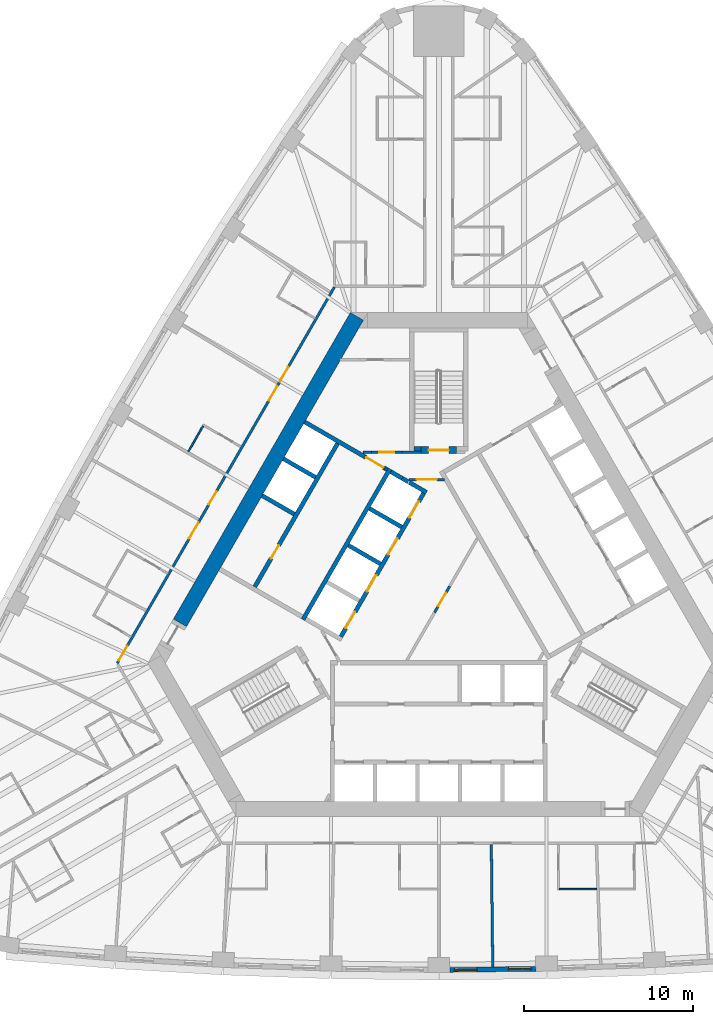
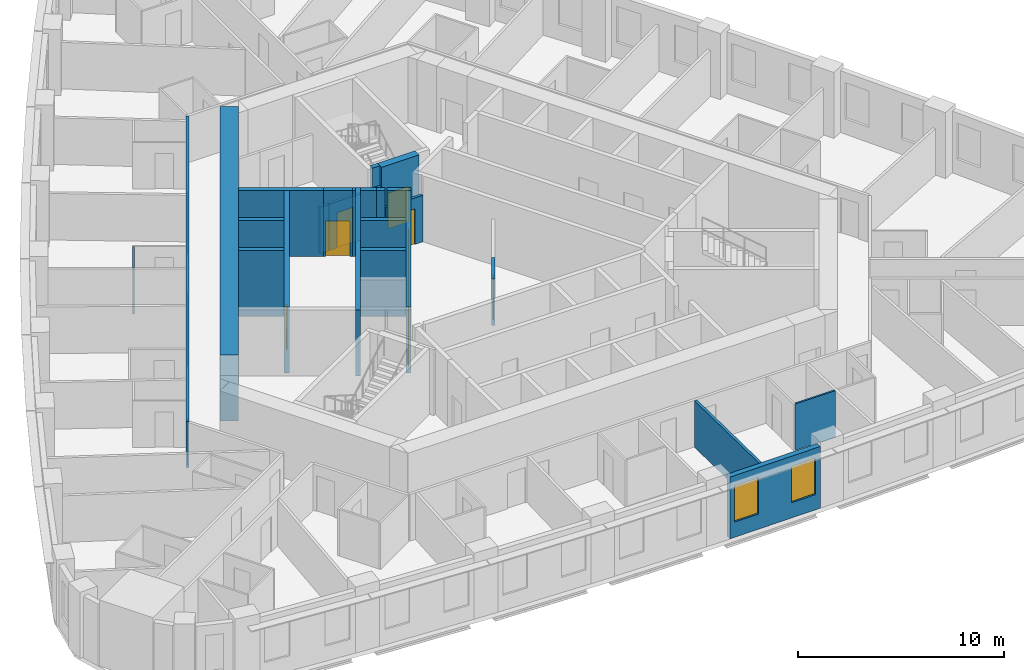
# One storey, part 6 of 13: 26 walls, 15 doors, 2 windows, 17 openings.
"""IFC4 building model written with IfcOpenShell, lengths in metres."""

from ifc_helpers import new_model, si_unit, direction, frame, frame_2d, origin, place, context, subcontext, project, spatial, polyline, rectangle, outline, extrude, material, layer, layer_set, type_object, element, fill, save


model = new_model("IFC4")

# Units and contexts
model_context = context("Model", 3, precision=1e-05, world=origin(), true_north=direction((0.0, 1.0)))
body_context = subcontext(model_context, "Body", "Model", "MODEL_VIEW")
ifc_project = project(units=[si_unit("LENGTHUNIT", "METRE"), si_unit("AREAUNIT", "SQUARE_METRE"), si_unit("VOLUMEUNIT", "CUBIC_METRE"), si_unit("PLANEANGLEUNIT", "RADIAN"), si_unit("MASSUNIT", "GRAM", prefix="KILO")], contexts=[model_context])

# Site, building, storey
site_placement = place(None, origin())
site = spatial("IfcSite", under=ifc_project, at=site_placement, CompositionType="ELEMENT")
building_placement = place(site_placement, origin())
building = spatial("IfcBuilding", under=site, at=building_placement, Name="Mestral Congress Tower", CompositionType="ELEMENT")
storey_placement = place(building_placement, frame((0.0, 0.0, 87.60009765625)))
storey = spatial("IfcBuildingStorey", under=building, at=storey_placement, Name="L20", CompositionType="ELEMENT", Elevation=87.60009765625)

# Walls
ifc_material_1 = material(Name="Fire-rated board partition")
ifc_layer_1 = layer(ifc_material_1, 0.14990234375)
ifc_layer_set_1 = layer_set([ifc_layer_1], Name="Fire-rated board partition")
wall_type_1 = type_object("IfcWallType", Name="Core partition 150", PredefinedType="PARTITIONING", material=ifc_layer_set_1)
wall_1_placement = place(storey_placement, frame((-3.99658203125, 8.625244140625, 0.0), z_axis=(0.0, 0.0, 1.0), x_axis=(-1.0, 0.0, 0.0)))
element("IfcWall", 1, at=wall_1_placement, inside=storey, type_object=wall_type_1, Name="L20 core wall", PredefinedType="PARTITIONING", context=body_context, shape_type="SweptSolid", body=[
    extrude(rectangle(XDim=0.502197265625, YDim=0.14990234375, at=frame_2d((0.2509765625, 0.0))), origin(), (0.0, 0.0, 1.0), 2.75),
])
wall_2_placement = place(storey_placement, frame((-2.1962890625, 8.62548828125, 0.0), z_axis=(0.0, 0.0, 1.0), x_axis=(1.0, 0.0, 0.0)))
element("IfcWall", 2, at=wall_2_placement, inside=storey, type_object=wall_type_1, Name="L20 core wall", PredefinedType="PARTITIONING", context=body_context, shape_type="SweptSolid", body=[
    extrude(rectangle(XDim=1.146240234375, YDim=0.14990234375, at=frame_2d((0.5732421875, 0.0))), origin(), (0.0, 0.0, 1.0), 2.75),
])

# Wall, opening, door
wall_3_placement = place(storey_placement, frame((-2.1962890625, 8.625, 0.0), z_axis=(0.0, 0.0, 1.0), x_axis=(-1.0, 0.0, 0.0)))
wall_3 = element("IfcWall", 3, at=wall_3_placement, inside=storey, type_object=wall_type_1, Name="L20 door wall", PredefinedType="PARTITIONING", context=body_context, shape_type="SweptSolid", body=[
    extrude(rectangle(XDim=1.800048828125, YDim=0.14990234375, at=frame_2d((0.89990234375, 0.0))), origin(), (0.0, 0.0, 1.0), 2.75),
])
opening_1_placement = place(wall_3_placement, frame((0.449951171875, 0.0, 0.0)))
opening_1 = element("IfcOpeningElement", 4, at=opening_1_placement, cuts=wall_3, Name="Opening TD2", PredefinedType="OPENING", context=body_context, shape_type="SweptSolid", body=[
    extrude(rectangle(XDim=0.89990234375, YDim=2.10009765625, at=frame_2d((0.449951171875, 1.050048828125))), frame((0.0, 0.0849609375, 0.0), z_axis=(0.0, -1.0, 0.0), x_axis=(1.0, 0.0, 0.0)), (0.0, 0.0, 1.0), 0.169921875),
])
ifc_material_2 = material(Name="Fire-rated steel door set", Category="steel")
door_type_1 = type_object("IfcDoorType", Name="Core door SR 900x2100", OperationType="SINGLE_SWING_LEFT", PredefinedType="DOOR", material=ifc_material_2)
door_1_placement = place(opening_1_placement, origin())
door_1 = element("IfcDoor", 5, at=door_1_placement, inside=storey, type_object=door_type_1, Name="Door TD2", OperationType="SINGLE_SWING_LEFT", OverallHeight=2.10009765625, OverallWidth=0.89990234375, PredefinedType="DOOR", context=body_context, shape_type="SweptSolid", body=[
    extrude(rectangle(XDim=0.89990234375, YDim=2.10009765625, at=frame_2d((0.449951171875, 1.050048828125))), frame((0.0, 0.02490234375, 0.0), z_axis=(0.0, -1.0, 0.0), x_axis=(1.0, 0.0, 0.0)), (0.0, 0.0, 1.0), 0.050048828125),
])
fill(opening_1, door_1)

wall_4_placement = place(storey_placement, frame((-1.765380859375, 7.0, 0.0), z_axis=(0.0, 0.0, 1.0), x_axis=(1.0, 0.0, 0.0)))
wall_4 = element("IfcWall", 6, at=wall_4_placement, inside=storey, type_object=wall_type_1, Name="L20 door wall", PredefinedType="PARTITIONING", context=body_context, shape_type="SweptSolid", body=[
    extrude(rectangle(XDim=2.10009765625, YDim=0.14990234375, at=frame_2d((1.050048828125, 0.0))), origin(), (0.0, 0.0, 1.0), 2.75),
])
opening_2_placement = place(wall_4_placement, frame((0.449951171875, 0.0, 0.0)))
opening_2 = element("IfcOpeningElement", 7, at=opening_2_placement, cuts=wall_4, Name="Opening CD2-FF", PredefinedType="OPENING", context=body_context, shape_type="SweptSolid", body=[
    extrude(rectangle(XDim=1.199951171875, YDim=2.10009765625, at=frame_2d((0.60009765625, 1.050048828125))), frame((0.0, 0.0849609375, 0.0), z_axis=(0.0, -1.0, 0.0), x_axis=(1.0, 0.0, 0.0)), (0.0, 0.0, 1.0), 0.169921875),
])
door_type_2 = type_object("IfcDoorType", Name="Core door CD 1200x2100", OperationType="SINGLE_SWING_LEFT", PredefinedType="DOOR", material=ifc_material_2)
door_2_placement = place(opening_2_placement, origin())
door_2 = element("IfcDoor", 8, at=door_2_placement, inside=storey, type_object=door_type_2, Name="Door CD2-FF", OperationType="SINGLE_SWING_LEFT", OverallHeight=2.10009765625, OverallWidth=1.199951171875, PredefinedType="DOOR", context=body_context, shape_type="SweptSolid", body=[
    extrude(rectangle(XDim=1.199951171875, YDim=2.10009765625, at=frame_2d((0.60009765625, 1.050048828125))), frame((0.0, 0.02490234375, 0.0), z_axis=(0.0, -1.0, 0.0), x_axis=(1.0, 0.0, 0.0)), (0.0, 0.0, 1.0), 0.050048828125),
])
fill(opening_2, door_2)

wall_5_placement = place(storey_placement, frame((-0.255126953125, -0.891845703125, 0.0), z_axis=(0.0, 0.0, 1.0), x_axis=(0.500062916607, 0.865989075817, 0.0)))
wall_5 = element("IfcWall", 9, at=wall_5_placement, inside=storey, type_object=wall_type_1, Name="L20 door wall", PredefinedType="PARTITIONING", context=body_context, shape_type="SweptSolid", body=[
    extrude(rectangle(XDim=1.800048828125, YDim=0.14990234375, at=frame_2d((0.89990234375, 0.0))), origin(), (0.0, 0.0, 1.0), 2.75),
])
opening_3_placement = place(wall_5_placement, frame((0.449951171875, 0.0, 0.0)))
opening_3 = element("IfcOpeningElement", 10, at=opening_3_placement, cuts=wall_5, Name="Opening SD-HUB0", PredefinedType="OPENING", context=body_context, shape_type="SweptSolid", body=[
    extrude(rectangle(XDim=0.89990234375, YDim=2.10009765625, at=frame_2d((0.449951171875, 1.050048828125))), frame((0.0, 0.0849609375, 0.0), z_axis=(0.0, -1.0, 0.0), x_axis=(1.0, 0.0, 0.0)), (0.0, 0.0, 1.0), 0.169921875),
])
door_3_placement = place(opening_3_placement, origin())
door_3 = element("IfcDoor", 11, at=door_3_placement, inside=storey, type_object=door_type_1, Name="Door SD-HUB0", OperationType="SINGLE_SWING_LEFT", OverallHeight=2.10009765625, OverallWidth=0.89990234375, PredefinedType="DOOR", context=body_context, shape_type="SweptSolid", body=[
    extrude(rectangle(XDim=0.89990234375, YDim=2.10009765625, at=frame_2d((0.449951171875, 1.050048828125))), frame((0.0, 0.02490234375, 0.0), z_axis=(0.0, -1.0, 0.0), x_axis=(1.0, 0.0, 0.0)), (0.0, 0.0, 1.0), 0.050048828125),
])
fill(opening_3, door_3)

# Wall
ifc_material_3 = material(Name="Concrete C60/75", Category="concrete")
ifc_layer_2 = layer(ifc_material_3, 0.89990234375)
ifc_layer_set_2 = layer_set([ifc_layer_2], Name="Concrete C60/75")
wall_type_2 = type_object("IfcWallType", Name="Core wall RC 900", PredefinedType="SOLIDWALL", material=ifc_layer_set_2)
wall_6_placement = place(storey_placement, frame((-15.359619140625, -1.50341796875, 0.0), z_axis=(0.0, 0.0, 1.0), x_axis=(0.50000389221, 0.866023156604, 0.0)))
element("IfcWall", 12, at=wall_6_placement, inside=storey, type_object=wall_type_2, Name="L20 core wall", PredefinedType="SOLIDWALL", context=body_context, shape_type="SweptSolid", body=[
    extrude(rectangle(XDim=21.000244140625, YDim=0.89990234375, at=frame_2d((10.5, 0.0))), origin(), (0.0, 0.0, 1.0), 3.89990234375),
])

# Wall, openings, windows
ifc_material_4 = material(Name="Precast concrete C40/50 with limestone facing", Category="masonry")
ifc_layer_3 = layer(ifc_material_4, 0.2900390625)
ifc_layer_set_3 = layer_set([ifc_layer_3], Name="Precast concrete C40/50 with limestone facing")
wall_type_3 = type_object("IfcWallType", Name="Facade stone wall 290", PredefinedType="SOLIDWALL", material=ifc_layer_set_3)
wall_7_placement = place(storey_placement, frame((0.6533203125, -22.091064453125, 0.0), z_axis=(0.0, 0.0, 1.0), x_axis=(0.999931786565, 0.011679992145, 0.0)))
wall_7 = element("IfcWall", 13, at=wall_7_placement, inside=storey, type_object=wall_type_3, Name="Facade wall F0-04", PredefinedType="SOLIDWALL", context=body_context, shape_type="SweptSolid", body=[
    extrude(rectangle(XDim=5.10009765625, YDim=0.2900390625, at=frame_2d((2.550048828125, 0.0))), origin(), (0.0, 0.0, 1.0), 3.64990234375),
])
opening_4_placement = place(wall_7_placement, frame((0.272705078125, 0.0, 0.89990234375)))
opening_4 = element("IfcOpeningElement", 14, at=opening_4_placement, cuts=wall_7, Name="Opening W2", PredefinedType="OPENING", context=body_context, shape_type="SweptSolid", body=[
    extrude(rectangle(XDim=1.35009765625, YDim=2.14990234375, at=frame_2d((0.675048828125, 1.074951171875))), frame((0.0, 0.155029296875, 0.0), z_axis=(0.0, -1.0, 0.0), x_axis=(1.0, 0.0, 0.0)), (0.0, 0.0, 1.0), 0.31005859375),
])
opening_5_placement = place(wall_7_placement, frame((3.477783203125, 0.0, 0.89990234375)))
opening_5 = element("IfcOpeningElement", 15, at=opening_5_placement, cuts=wall_7, Name="Opening W2", PredefinedType="OPENING", context=body_context, shape_type="SweptSolid", body=[
    extrude(rectangle(XDim=1.35009765625, YDim=2.14990234375, at=frame_2d((0.675048828125, 1.074951171875))), frame((0.0, 0.155029296875, 0.0), z_axis=(0.0, -1.0, 0.0), x_axis=(1.0, 0.0, 0.0)), (0.0, 0.0, 1.0), 0.31005859375),
])
ifc_material_5 = material(Name="Clear low-emissivity double glazing", Category="glass")
window_type = type_object("IfcWindowType", Name="Facade punched window 1350 x 2150 sill 900", PartitioningType="DOUBLE_PANEL_VERTICAL", PredefinedType="WINDOW", material=ifc_material_5)
window_1_placement = place(opening_4_placement, origin())
window_1 = element("IfcWindow", 16, at=window_1_placement, inside=storey, type_object=window_type, Name="Window F0-04a", OverallHeight=2.14990234375, OverallWidth=1.35009765625, PartitioningType="DOUBLE_PANEL_VERTICAL", PredefinedType="WINDOW", context=body_context, shape_type="SweptSolid", body=[
    extrude(rectangle(XDim=1.35009765625, YDim=2.14990234375, at=frame_2d((0.675048828125, 1.074951171875))), frame((0.0, 0.01513671875, 0.0), z_axis=(0.0, -1.0, 0.0), x_axis=(1.0, 0.0, 0.0)), (0.0, 0.0, 1.0), 0.06005859375),
])
fill(opening_4, window_1)
window_2_placement = place(opening_5_placement, origin())
window_2 = element("IfcWindow", 17, at=window_2_placement, inside=storey, type_object=window_type, Name="Window F0-04b", OverallHeight=2.14990234375, OverallWidth=1.35009765625, PartitioningType="DOUBLE_PANEL_VERTICAL", PredefinedType="WINDOW", context=body_context, shape_type="SweptSolid", body=[
    extrude(rectangle(XDim=1.35009765625, YDim=2.14990234375, at=frame_2d((0.675048828125, 1.074951171875))), frame((0.0, 0.01513671875, 0.0), z_axis=(0.0, -1.0, 0.0), x_axis=(1.0, 0.0, 0.0)), (0.0, 0.0, 1.0), 0.06005859375),
])
fill(opening_5, window_2)

# Walls
ifc_material_6 = material(Name="Gypsum board partition on metal studs with mineral wool", Category="composite")
ifc_layer_4 = layer(ifc_material_6, 0.10009765625)
ifc_layer_set_4 = layer_set([ifc_layer_4], Name="Gypsum board partition on metal studs with mineral wool")
wall_type_4 = type_object("IfcWallType", Name="Hotel partition wall 100", PredefinedType="PARTITIONING", material=ifc_layer_set_4)
wall_8_placement = place(storey_placement, frame((7.150390625, -17.300048828125, 0.0), z_axis=(0.0, 0.0, 1.0), x_axis=(1.0, 0.0, 0.0)))
element("IfcWall", 18, at=wall_8_placement, inside=storey, type_object=wall_type_4, Name="L20-h-pod06b", PredefinedType="PARTITIONING", context=body_context, shape_type="SweptSolid", body=[
    extrude(rectangle(XDim=2.219970703125, YDim=0.10009765625, at=frame_2d((1.10986328125, 0.0))), origin(), (0.0, 0.0, 1.0), 2.75),
])
wall_9_placement = place(storey_placement, frame((-13.982666015625, 10.18115234375, 0.0), z_axis=(0.0, 0.0, 1.0), x_axis=(-0.499980071345, -0.866036909293, 0.0)))
element("IfcWall", 19, at=wall_9_placement, inside=storey, type_object=wall_type_4, Name="L20-h-pod22b", PredefinedType="PARTITIONING", context=body_context, shape_type="SweptSolid", body=[
    extrude(rectangle(XDim=1.75, YDim=0.10009765625, at=frame_2d((0.875, 0.0))), origin(), (0.0, 0.0, 1.0), 2.75),
])

# Wall, openings, doors
ifc_layer_5 = layer(ifc_material_6, 0.14990234375)
ifc_layer_set_5 = layer_set([ifc_layer_5], Name="Gypsum board partition on metal studs with mineral wool")
wall_type_5 = type_object("IfcWallType", Name="Hotel partition wall 150", PredefinedType="PARTITIONING", material=ifc_layer_set_5)
wall_10_placement = place(storey_placement, frame((-19.081298828125, -3.89990234375, 0.0), z_axis=(0.0, 0.0, 1.0), x_axis=(0.499998313975, 0.866026377209, 0.0)))
wall_10 = element("IfcWall", 20, at=wall_10_placement, inside=storey, type_object=wall_type_5, Name="L20-h-cw08", PredefinedType="PARTITIONING", context=body_context, shape_type="SweptSolid", body=[
    extrude(rectangle(XDim=25.76611328125, YDim=0.14990234375, at=frame_2d((12.883056640625, 0.0))), origin(), (0.0, 0.0, 1.0), 2.75),
])
opening_6_placement = place(wall_10_placement, frame((19.30615234375, 0.0, 0.0)))
opening_6 = element("IfcOpeningElement", 21, at=opening_6_placement, cuts=wall_10, Name="Opening H06-039", PredefinedType="OPENING", context=body_context, shape_type="SweptSolid", body=[
    extrude(rectangle(XDim=1.0, YDim=2.10009765625, at=frame_2d((0.5, 1.050048828125))), frame((0.0, 0.0849609375, 0.0), z_axis=(0.0, -1.0, 0.0), x_axis=(1.0, 0.0, 0.0)), (0.0, 0.0, 1.0), 0.169921875),
])
opening_7_placement = place(wall_10_placement, frame((17.99951171875, 0.0, 0.0)))
opening_7 = element("IfcOpeningElement", 22, at=opening_7_placement, cuts=wall_10, Name="Opening H06-041", PredefinedType="OPENING", context=body_context, shape_type="SweptSolid", body=[
    extrude(rectangle(XDim=1.0, YDim=2.10009765625, at=frame_2d((0.5, 1.050048828125))), frame((0.0, 0.0849609375, 0.0), z_axis=(0.0, -1.0, 0.0), x_axis=(1.0, 0.0, 0.0)), (0.0, 0.0, 1.0), 0.169921875),
])
opening_8_placement = place(wall_10_placement, frame((10.874267578125, 0.0, 0.0)))
opening_8 = element("IfcOpeningElement", 23, at=opening_8_placement, cuts=wall_10, Name="Opening H06-043", PredefinedType="OPENING", context=body_context, shape_type="SweptSolid", body=[
    extrude(rectangle(XDim=0.89990234375, YDim=2.10009765625, at=frame_2d((0.449951171875, 1.050048828125))), frame((0.0, 0.0849609375, 0.0), z_axis=(0.0, -1.0, 0.0), x_axis=(1.0, 0.0, 0.0)), (0.0, 0.0, 1.0), 0.169921875),
])
opening_9_placement = place(wall_10_placement, frame((8.547607421875, 0.0, 0.0)))
opening_9 = element("IfcOpeningElement", 24, at=opening_9_placement, cuts=wall_10, Name="Opening H06-044", PredefinedType="OPENING", context=body_context, shape_type="SweptSolid", body=[
    extrude(rectangle(XDim=1.10009765625, YDim=2.10009765625, at=frame_2d((0.550048828125, 1.050048828125))), frame((0.0, 0.0849609375, 0.0), z_axis=(0.0, -1.0, 0.0), x_axis=(1.0, 0.0, 0.0)), (0.0, 0.0, 1.0), 0.169921875),
])
opening_10_placement = place(wall_10_placement, frame((0.179931640625, 0.0, 0.0)))
opening_10 = element("IfcOpeningElement", 25, at=opening_10_placement, cuts=wall_10, Name="Opening H06-046", PredefinedType="OPENING", context=body_context, shape_type="SweptSolid", body=[
    extrude(rectangle(XDim=1.0, YDim=2.10009765625, at=frame_2d((0.5, 1.050048828125))), frame((0.0, 0.0849609375, 0.0), z_axis=(0.0, -1.0, 0.0), x_axis=(1.0, 0.0, 0.0)), (0.0, 0.0, 1.0), 0.169921875),
])
ifc_material_7 = material(Name="Timber veneer door leaf in metal frame", Category="wood")
door_type_3 = type_object("IfcDoorType", Name="Accessible room entrance door 1100", OperationType="SINGLE_SWING_LEFT", PredefinedType="DOOR", material=ifc_material_7)
door_4_placement = place(opening_9_placement, origin())
door_4 = element("IfcDoor", 26, at=door_4_placement, inside=storey, type_object=door_type_3, Name="L20-h-d044", OperationType="SINGLE_SWING_RIGHT", OverallHeight=2.10009765625, OverallWidth=1.10009765625, PredefinedType="DOOR", context=body_context, shape_type="SweptSolid", body=[
    extrude(rectangle(XDim=1.10009765625, YDim=2.10009765625, at=frame_2d((0.550048828125, 1.050048828125))), frame((0.0, 0.02490234375, 0.0), z_axis=(0.0, -1.0, 0.0), x_axis=(1.0, 0.0, 0.0)), (0.0, 0.0, 1.0), 0.050048828125),
])
fill(opening_9, door_4)
door_type_4 = type_object("IfcDoorType", Name="Guest room entrance door 1000", OperationType="SINGLE_SWING_LEFT", PredefinedType="DOOR", material=ifc_material_7)
door_5_placement = place(opening_6_placement, origin())
door_5 = element("IfcDoor", 27, at=door_5_placement, inside=storey, type_object=door_type_4, Name="L20-h-d039", OperationType="SINGLE_SWING_LEFT", OverallHeight=2.10009765625, OverallWidth=1.0, PredefinedType="DOOR", context=body_context, shape_type="SweptSolid", body=[
    extrude(rectangle(XDim=1.0, YDim=2.10009765625, at=frame_2d((0.5, 1.050048828125))), frame((0.0, 0.02490234375, 0.0), z_axis=(0.0, -1.0, 0.0), x_axis=(1.0, 0.0, 0.0)), (0.0, 0.0, 1.0), 0.050048828125),
])
fill(opening_6, door_5)
door_6_placement = place(opening_7_placement, origin())
door_6 = element("IfcDoor", 28, at=door_6_placement, inside=storey, type_object=door_type_4, Name="L20-h-d041", OperationType="SINGLE_SWING_RIGHT", OverallHeight=2.10009765625, OverallWidth=1.0, PredefinedType="DOOR", context=body_context, shape_type="SweptSolid", body=[
    extrude(rectangle(XDim=1.0, YDim=2.10009765625, at=frame_2d((0.5, 1.050048828125))), frame((0.0, 0.02490234375, 0.0), z_axis=(0.0, -1.0, 0.0), x_axis=(1.0, 0.0, 0.0)), (0.0, 0.0, 1.0), 0.050048828125),
])
fill(opening_7, door_6)
door_7_placement = place(opening_10_placement, origin())
door_7 = element("IfcDoor", 29, at=door_7_placement, inside=storey, type_object=door_type_4, Name="L20-h-d046", OperationType="SINGLE_SWING_LEFT", OverallHeight=2.10009765625, OverallWidth=1.0, PredefinedType="DOOR", context=body_context, shape_type="SweptSolid", body=[
    extrude(rectangle(XDim=1.0, YDim=2.10009765625, at=frame_2d((0.5, 1.050048828125))), frame((0.0, 0.02490234375, 0.0), z_axis=(0.0, -1.0, 0.0), x_axis=(1.0, 0.0, 0.0)), (0.0, 0.0, 1.0), 0.050048828125),
])
fill(opening_10, door_7)
door_type_5 = type_object("IfcDoorType", Name="Service room door 900", OperationType="SINGLE_SWING_LEFT", PredefinedType="DOOR", material=ifc_material_7)
door_8_placement = place(opening_8_placement, origin())
door_8 = element("IfcDoor", 30, at=door_8_placement, inside=storey, type_object=door_type_5, Name="L20-h-d043", OperationType="SINGLE_SWING_LEFT", OverallHeight=2.10009765625, OverallWidth=0.89990234375, PredefinedType="DOOR", context=body_context, shape_type="SweptSolid", body=[
    extrude(rectangle(XDim=0.89990234375, YDim=2.10009765625, at=frame_2d((0.449951171875, 1.050048828125))), frame((0.0, 0.02490234375, 0.0), z_axis=(0.0, -1.0, 0.0), x_axis=(1.0, 0.0, 0.0)), (0.0, 0.0, 1.0), 0.050048828125),
])
fill(opening_8, door_8)

# Walls
wall_11_placement = place(storey_placement, frame((3.20166015625, -21.916259765625, 0.0), z_axis=(0.0, 0.0, 1.0), x_axis=(-0.011707696285, 0.999931462575, 0.0)))
element("IfcWall", 31, at=wall_11_placement, inside=storey, type_object=wall_type_5, Name="L20-h-pw18", PredefinedType="PARTITIONING", context=body_context, shape_type="SweptSolid", body=[
    extrude(rectangle(XDim=7.2568359375, YDim=0.14990234375, at=frame_2d((3.62841796875, 0.0))), origin(), (0.0, 0.0, 1.0), 2.75),
])
ifc_layer_6 = layer(ifc_material_3, 0.25)
ifc_layer_set_6 = layer_set([ifc_layer_6], Name="Concrete C60/75")
wall_type_6 = type_object("IfcWallType", Name="Shaft wall RC 250", PredefinedType="SOLIDWALL", material=ifc_layer_set_6)
wall_12_placement = place(storey_placement, frame((-8.06005859375, -1.310546875, 0.0), z_axis=(0.0, 0.0, 1.0), x_axis=(0.50000273126, 0.866023826885, 0.0)))
element("IfcWall", 32, at=wall_12_placement, inside=storey, type_object=wall_type_6, Name="L20 core wall", PredefinedType="SOLIDWALL", context=body_context, shape_type="SweptSolid", body=[
    extrude(rectangle(XDim=10.330078125, YDim=0.25, at=frame_2d((5.1650390625, 0.0))), origin(), (0.0, 0.0, 1.0), 3.89990234375),
])
wall_13_placement = place(storey_placement, frame((-1.818603515625, 6.869873046875, 0.0), z_axis=(0.0, 0.0, 1.0), x_axis=(-0.866294599386, 0.499533449405, 0.0)))
element("IfcWall", 33, at=wall_13_placement, inside=storey, type_object=wall_type_6, Name="L20 core wall", PredefinedType="SOLIDWALL", context=body_context, shape_type="SweptSolid", body=[
    extrude(rectangle(XDim=0.41015625, YDim=0.25, at=frame_2d((0.205078125, 0.0))), origin(), (0.0, 0.0, 1.0), 3.89990234375),
])
wall_14_placement = place(storey_placement, frame((-2.849365234375, 7.46484375, 0.0), z_axis=(0.0, 0.0, 1.0), x_axis=(0.865955664968, -0.500120771724, 0.0)))
element("IfcWall", 34, at=wall_14_placement, inside=storey, type_object=wall_type_6, Name="L20 core wall", PredefinedType="SOLIDWALL", context=body_context, shape_type="SweptSolid", body=[
    extrude(rectangle(XDim=0.778076171875, YDim=0.25, at=frame_2d((0.38916015625, 0.0))), origin(), (0.0, 0.0, 1.0), 3.89990234375),
])
wall_15_placement = place(storey_placement, frame((-0.7275390625, 6.23974609375, 0.0), z_axis=(0.0, 0.0, 1.0), x_axis=(-0.866002680491, 0.500039355833, 0.0)))
element("IfcWall", 35, at=wall_15_placement, inside=storey, type_object=wall_type_6, Name="L20 core wall", PredefinedType="SOLIDWALL", context=body_context, shape_type="SweptSolid", body=[
    extrude(rectangle(XDim=1.17822265625, YDim=0.25, at=frame_2d((0.589111328125, 0.0))), origin(), (0.0, 0.0, 1.0), 3.89990234375),
])
for number, where, z_axis, x_axis, name in (
    (36, (-2.2041015625, 4.182373046875, 0.0), (0.0, 0.0, 1.0), (-0.866008176907, 0.50002983664, 0.0), "L20 core wall"),
    (37, (-5.369384765625, 3.10009765625, 0.0), (0.0, 0.0, 1.0), (0.866008176907, -0.50002983664, 0.0), "L20 core wall"),
):
    element("IfcWall", number, at=place(storey_placement, frame(where, z_axis=z_axis, x_axis=x_axis)), inside=storey, type_object=wall_type_6, Name=name, PredefinedType="SOLIDWALL", context=body_context, shape_type="SweptSolid", body=[
        extrude(rectangle(XDim=2.199951171875, YDim=0.25, at=frame_2d((1.10009765625, 0.0))), origin(), (0.0, 0.0, 1.0), 3.89990234375),
    ])
wall_16_placement = place(storey_placement, origin())
element("IfcWall", 38, at=wall_16_placement, inside=storey, type_object=wall_type_6, Name="L20 core wall", PredefinedType="SOLIDWALL", context=body_context, shape_type="SweptSolid", body=[
    extrude(outline(polyline([(-3.12841796875, 7.4814453125), (-3.2587890625, 7.556640625), (-3.1337890625, 7.773193359375), (-3.00341796875, 7.697998046875), (-3.12841796875, 7.4814453125)])), origin(), (0.0, 0.0, 1.0), 3.89990234375),
])
for number, where, z_axis, x_axis, name in (
    (39, (-8.57373046875, 4.949951171875, 0.0), (0.0, 0.0, 1.0), (-0.866008176907, 0.50002983664, 0.0), "L20 core wall"),
    (40, (-7.313720703125, 7.13232421875, 0.0), (0.0, 0.0, 1.0), (-0.866008176907, 0.50002983664, 0.0), "L20 core wall"),
):
    element("IfcWall", number, at=place(storey_placement, frame(where, z_axis=z_axis, x_axis=x_axis)), inside=storey, type_object=wall_type_6, Name=name, PredefinedType="SOLIDWALL", context=body_context, shape_type="SweptSolid", body=[
        extrude(rectangle(XDim=2.199951171875, YDim=0.25, at=frame_2d((1.10009765625, 0.0))), origin(), (0.0, 0.0, 1.0), 3.89990234375),
    ])
wall_17_placement = place(storey_placement, frame((-7.958984375, 10.414794921875, 0.0), z_axis=(0.0, 0.0, 1.0), x_axis=(0.866020958405, -0.500007699544, 0.0)))
element("IfcWall", 41, at=wall_17_placement, inside=storey, type_object=wall_type_6, Name="L20 core wall", PredefinedType="SOLIDWALL", context=body_context, shape_type="SweptSolid", body=[
    extrude(rectangle(XDim=4.099609375, YDim=0.25, at=frame_2d((2.0498046875, 0.0))), origin(), (0.0, 0.0, 1.0), 3.89990234375),
])

# Wall, opening, door
wall_18_placement = place(storey_placement, frame((-6.0078125, 9.14404296875, 0.0), z_axis=(0.0, 0.0, 1.0), x_axis=(-0.500006956611, -0.866021387346, 0.0)))
wall_18 = element("IfcWall", 42, at=wall_18_placement, inside=storey, type_object=wall_type_6, Name="L20 door wall", PredefinedType="SOLIDWALL", context=body_context, shape_type="SweptSolid", body=[
    extrude(rectangle(XDim=9.829833984375, YDim=0.25, at=frame_2d((4.9150390625, 0.0))), origin(), (0.0, 0.0, 1.0), 3.89990234375),
])
opening_11_placement = place(wall_18_placement, frame((6.985107421875, 0.0, 0.0)))
opening_11 = element("IfcOpeningElement", 43, at=opening_11_placement, cuts=wall_18, Name="Opening SR-NWA2", PredefinedType="OPENING", context=body_context, shape_type="SweptSolid", body=[
    extrude(rectangle(XDim=0.89990234375, YDim=2.10009765625, at=frame_2d((0.449951171875, 1.050048828125))), frame((0.0, 0.135009765625, 0.0), z_axis=(0.0, -1.0, 0.0), x_axis=(1.0, 0.0, 0.0)), (0.0, 0.0, 1.0), 0.27001953125),
])
door_9_placement = place(opening_11_placement, origin())
door_9 = element("IfcDoor", 44, at=door_9_placement, inside=storey, type_object=door_type_1, Name="Door SR-NWA2", OperationType="SINGLE_SWING_LEFT", OverallHeight=2.10009765625, OverallWidth=0.89990234375, PredefinedType="DOOR", context=body_context, shape_type="SweptSolid", body=[
    extrude(rectangle(XDim=0.89990234375, YDim=2.10009765625, at=frame_2d((0.449951171875, 1.050048828125))), frame((0.0, 0.02490234375, 0.0), z_axis=(0.0, -1.0, 0.0), x_axis=(1.0, 0.0, 0.0)), (0.0, 0.0, 1.0), 0.050048828125),
])
fill(opening_11, door_9)

# Wall, openings, doors
wall_19_placement = place(storey_placement, frame((-0.898193359375, 6.194091796875, 0.0), z_axis=(0.0, 0.0, 1.0), x_axis=(-0.499996202215, -0.866027596426, 0.0)))
wall_19 = element("IfcWall", 45, at=wall_19_placement, inside=storey, type_object=wall_type_6, Name="L20 door wall", PredefinedType="SOLIDWALL", context=body_context, shape_type="SweptSolid", body=[
    extrude(rectangle(XDim=9.830078125, YDim=0.25, at=frame_2d((4.9150390625, 0.0))), origin(), (0.0, 0.0, 1.0), 3.89990234375),
])
opening_12_placement = place(wall_19_placement, frame((0.5849609375, 0.0, 0.0)))
opening_12 = element("IfcOpeningElement", 46, at=opening_12_placement, cuts=wall_19, Name="Opening LD-NWB1", PredefinedType="OPENING", context=body_context, shape_type="SweptSolid", body=[
    extrude(rectangle(XDim=1.10009765625, YDim=2.10009765625, at=frame_2d((0.550048828125, 1.050048828125))), frame((0.0, 0.135009765625, 0.0), z_axis=(0.0, -1.0, 0.0), x_axis=(1.0, 0.0, 0.0)), (0.0, 0.0, 1.0), 0.27001953125),
])
opening_13_placement = place(wall_19_placement, frame((3.10498046875, 0.0, 0.0)))
opening_13 = element("IfcOpeningElement", 47, at=opening_13_placement, cuts=wall_19, Name="Opening LD-NWB2", PredefinedType="OPENING", context=body_context, shape_type="SweptSolid", body=[
    extrude(rectangle(XDim=1.10009765625, YDim=2.10009765625, at=frame_2d((0.550048828125, 1.050048828125))), frame((0.0, 0.135009765625, 0.0), z_axis=(0.0, -1.0, 0.0), x_axis=(1.0, 0.0, 0.0)), (0.0, 0.0, 1.0), 0.27001953125),
])
opening_14_placement = place(wall_19_placement, frame((5.625, 0.0, 0.0)))
opening_14 = element("IfcOpeningElement", 48, at=opening_14_placement, cuts=wall_19, Name="Opening LD-NWB3", PredefinedType="OPENING", context=body_context, shape_type="SweptSolid", body=[
    extrude(rectangle(XDim=1.10009765625, YDim=2.10009765625, at=frame_2d((0.550048828125, 1.050048828125))), frame((0.0, 0.135009765625, 0.0), z_axis=(0.0, -1.0, 0.0), x_axis=(1.0, 0.0, 0.0)), (0.0, 0.0, 1.0), 0.27001953125),
])
opening_15_placement = place(wall_19_placement, frame((8.14501953125, 0.0, 0.0)))
opening_15 = element("IfcOpeningElement", 49, at=opening_15_placement, cuts=wall_19, Name="Opening LD-NWB4", PredefinedType="OPENING", context=body_context, shape_type="SweptSolid", body=[
    extrude(rectangle(XDim=1.10009765625, YDim=2.10009765625, at=frame_2d((0.550048828125, 1.050048828125))), frame((0.0, 0.135009765625, 0.0), z_axis=(0.0, -1.0, 0.0), x_axis=(1.0, 0.0, 0.0)), (0.0, 0.0, 1.0), 0.27001953125),
])
door_type_6 = type_object("IfcDoorType", Name="Core door LD 1100x2100", OperationType="DOUBLE_DOOR_SLIDING", PredefinedType="DOOR", material=ifc_material_2)
door_10_placement = place(opening_12_placement, origin())
door_10 = element("IfcDoor", 50, at=door_10_placement, inside=storey, type_object=door_type_6, Name="Door LD-NWB1", OperationType="DOUBLE_DOOR_SLIDING", OverallHeight=2.10009765625, OverallWidth=1.10009765625, PredefinedType="DOOR", context=body_context, shape_type="SweptSolid", body=[
    extrude(rectangle(XDim=1.10009765625, YDim=2.10009765625, at=frame_2d((0.550048828125, 1.050048828125))), frame((0.0, 0.02490234375, 0.0), z_axis=(0.0, -1.0, 0.0), x_axis=(1.0, 0.0, 0.0)), (0.0, 0.0, 1.0), 0.050048828125),
])
fill(opening_12, door_10)
door_11_placement = place(opening_13_placement, origin())
door_11 = element("IfcDoor", 51, at=door_11_placement, inside=storey, type_object=door_type_6, Name="Door LD-NWB2", OperationType="DOUBLE_DOOR_SLIDING", OverallHeight=2.10009765625, OverallWidth=1.10009765625, PredefinedType="DOOR", context=body_context, shape_type="SweptSolid", body=[
    extrude(rectangle(XDim=1.10009765625, YDim=2.10009765625, at=frame_2d((0.550048828125, 1.050048828125))), frame((0.0, 0.02490234375, 0.0), z_axis=(0.0, -1.0, 0.0), x_axis=(1.0, 0.0, 0.0)), (0.0, 0.0, 1.0), 0.050048828125),
])
fill(opening_13, door_11)
door_12_placement = place(opening_14_placement, origin())
door_12 = element("IfcDoor", 52, at=door_12_placement, inside=storey, type_object=door_type_6, Name="Door LD-NWB3", OperationType="DOUBLE_DOOR_SLIDING", OverallHeight=2.10009765625, OverallWidth=1.10009765625, PredefinedType="DOOR", context=body_context, shape_type="SweptSolid", body=[
    extrude(rectangle(XDim=1.10009765625, YDim=2.10009765625, at=frame_2d((0.550048828125, 1.050048828125))), frame((0.0, 0.02490234375, 0.0), z_axis=(0.0, -1.0, 0.0), x_axis=(1.0, 0.0, 0.0)), (0.0, 0.0, 1.0), 0.050048828125),
])
fill(opening_14, door_12)
door_13_placement = place(opening_15_placement, origin())
door_13 = element("IfcDoor", 53, at=door_13_placement, inside=storey, type_object=door_type_6, Name="Door LD-NWB4", OperationType="DOUBLE_DOOR_SLIDING", OverallHeight=2.10009765625, OverallWidth=1.10009765625, PredefinedType="DOOR", context=body_context, shape_type="SweptSolid", body=[
    extrude(rectangle(XDim=1.10009765625, YDim=2.10009765625, at=frame_2d((0.550048828125, 1.050048828125))), frame((0.0, 0.02490234375, 0.0), z_axis=(0.0, -1.0, 0.0), x_axis=(1.0, 0.0, 0.0)), (0.0, 0.0, 1.0), 0.050048828125),
])
fill(opening_15, door_13)

# Wall, opening, door
wall_20_placement = place(storey_placement, frame((-4.40869140625, 8.364990234375, 0.0), z_axis=(0.0, 0.0, 1.0), x_axis=(0.866034573852, -0.49998411664, 0.0)))
wall_20 = element("IfcWall", 54, at=wall_20_placement, inside=storey, type_object=wall_type_6, Name="L20 door wall", PredefinedType="SOLIDWALL", context=body_context, shape_type="SweptSolid", body=[
    extrude(rectangle(XDim=1.39990234375, YDim=0.25, at=frame_2d((0.699951171875, 0.0))), origin(), (0.0, 0.0, 1.0), 3.89990234375),
])
opening_16_placement = place(wall_20_placement, frame((0.10009765625, 0.0, 0.0)))
opening_16 = element("IfcOpeningElement", 55, at=opening_16_placement, cuts=wall_20, Name="Opening LB2-WL2", PredefinedType="OPENING", context=body_context, shape_type="SweptSolid", body=[
    extrude(rectangle(XDim=1.199951171875, YDim=2.10009765625, at=frame_2d((0.60009765625, 1.050048828125))), frame((0.0, 0.135009765625, 0.0), z_axis=(0.0, -1.0, 0.0), x_axis=(1.0, 0.0, 0.0)), (0.0, 0.0, 1.0), 0.27001953125),
])
door_type_7 = type_object("IfcDoorType", Name="Core door LB 1200x2100", OperationType="SINGLE_SWING_LEFT", PredefinedType="DOOR", material=ifc_material_2)
door_14_placement = place(opening_16_placement, origin())
door_14 = element("IfcDoor", 56, at=door_14_placement, inside=storey, type_object=door_type_7, Name="Door LB2-WL2", OperationType="SINGLE_SWING_LEFT", OverallHeight=2.10009765625, OverallWidth=1.199951171875, PredefinedType="DOOR", context=body_context, shape_type="SweptSolid", body=[
    extrude(rectangle(XDim=1.199951171875, YDim=2.10009765625, at=frame_2d((0.60009765625, 1.050048828125))), frame((0.0, 0.02490234375, 0.0), z_axis=(0.0, -1.0, 0.0), x_axis=(1.0, 0.0, 0.0)), (0.0, 0.0, 1.0), 0.050048828125),
])
fill(opening_16, door_14)

# Wall
ifc_layer_7 = layer(ifc_material_3, 0.25)
ifc_layer_set_7 = layer_set([ifc_layer_7], Name="Concrete C60/75")
wall_type_7 = type_object("IfcWallType", Name="Stair wall RC 250", PredefinedType="SOLIDWALL", material=ifc_layer_set_7)
wall_21_placement = place(storey_placement, frame((-1.47509765625, 8.824951171875, 0.0), z_axis=(0.0, 0.0, 1.0), x_axis=(1.0, 0.0, 0.0)))
element("IfcWall", 57, at=wall_21_placement, inside=storey, type_object=wall_type_7, Name="L20 core wall", PredefinedType="SOLIDWALL", context=body_context, shape_type="SweptSolid", body=[
    extrude(rectangle(XDim=0.425048828125, YDim=0.25, at=frame_2d((0.21240234375, 0.0))), origin(), (0.0, 0.0, 1.0), 3.89990234375),
])

# Wall, opening, door
ifc_layer_8 = layer(ifc_material_3, 0.39990234375)
ifc_layer_set_8 = layer_set([ifc_layer_8], Name="Concrete C60/75")
wall_type_8 = type_object("IfcWallType", Name="Stair wall RC 250 door-wall 400", PredefinedType="SOLIDWALL", material=ifc_layer_set_8)
wall_22_placement = place(storey_placement, frame((1.050048828125, 8.75, 0.0), z_axis=(0.0, 0.0, 1.0), x_axis=(-1.0, 0.0, 0.0)))
wall_22 = element("IfcWall", 58, at=wall_22_placement, inside=storey, type_object=wall_type_8, Name="L20 door wall", PredefinedType="SOLIDWALL", context=body_context, shape_type="SweptSolid", body=[
    extrude(rectangle(XDim=2.10009765625, YDim=0.39990234375, at=frame_2d((1.050048828125, 0.0))), origin(), (0.0, 0.0, 1.0), 3.89990234375),
])
opening_17_placement = place(wall_22_placement, frame((0.449951171875, 0.0, 0.0)))
opening_17 = element("IfcOpeningElement", 59, at=opening_17_placement, cuts=wall_22, Name="Opening ST-D2", PredefinedType="OPENING", context=body_context, shape_type="SweptSolid", body=[
    extrude(rectangle(XDim=1.199951171875, YDim=2.10009765625, at=frame_2d((0.60009765625, 1.050048828125))), frame((0.0, 0.2099609375, 0.0), z_axis=(0.0, -1.0, 0.0), x_axis=(1.0, 0.0, 0.0)), (0.0, 0.0, 1.0), 0.419921875),
])
door_type_8 = type_object("IfcDoorType", Name="Core door ST 1200x2100", OperationType="SINGLE_SWING_LEFT", PredefinedType="DOOR", material=ifc_material_2)
door_15_placement = place(opening_17_placement, origin())
door_15 = element("IfcDoor", 60, at=door_15_placement, inside=storey, type_object=door_type_8, Name="Door ST-D2", OperationType="SINGLE_SWING_LEFT", OverallHeight=2.10009765625, OverallWidth=1.199951171875, PredefinedType="DOOR", context=body_context, shape_type="SweptSolid", body=[
    extrude(rectangle(XDim=1.199951171875, YDim=2.10009765625, at=frame_2d((0.60009765625, 1.050048828125))), frame((0.0, 0.02490234375, 0.0), z_axis=(0.0, -1.0, 0.0), x_axis=(1.0, 0.0, 0.0)), (0.0, 0.0, 1.0), 0.050048828125),
])
fill(opening_17, door_15)

save(model, "model.ifc")
